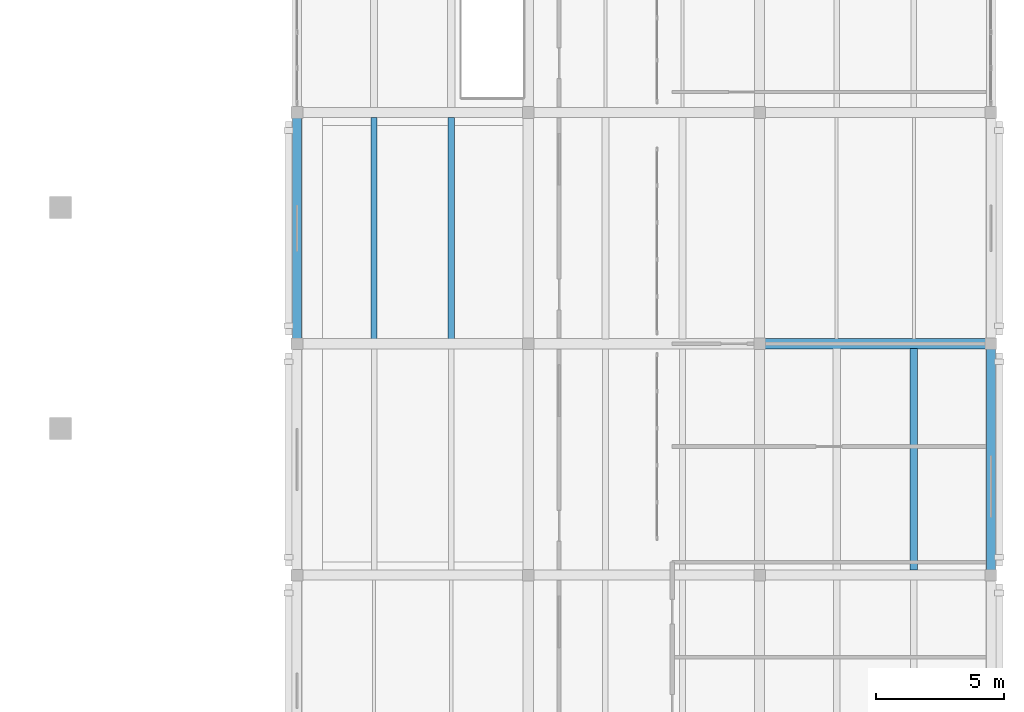
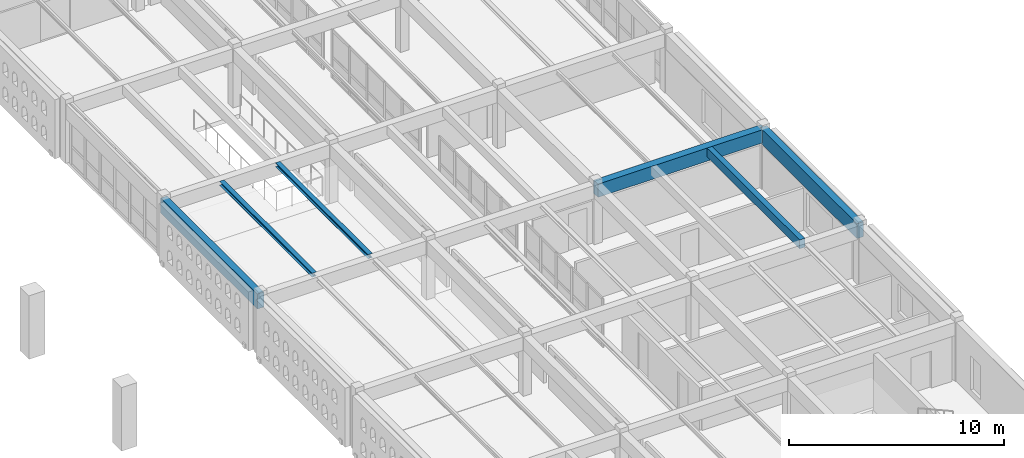
# One storey, part 38 of 80: 6 beams.
"""IFC4 building model written with IfcOpenShell, lengths in metres."""

from ifc_helpers import new_model, si_unit, direction, frame, origin, origin_2d, place, context, subcontext, project, spatial, rectangle, i_section, extrude, material, material_profile, profile_set, type_object, element, save


model = new_model("IFC4")

# Units and contexts
model_context = context("Model", 3, precision=1e-05, world=origin(), true_north=direction((0.0, 1.0)))
body_context = subcontext(model_context, "Body", "Model", "MODEL_VIEW")
ifc_project = project(units=[si_unit("LENGTHUNIT", "METRE"), si_unit("AREAUNIT", "SQUARE_METRE"), si_unit("VOLUMEUNIT", "CUBIC_METRE"), si_unit("PLANEANGLEUNIT", "RADIAN"), si_unit("MASSUNIT", "GRAM", prefix="KILO")], contexts=[model_context])

# Site, building, storey
site_placement = place(None, origin())
site = spatial("IfcSite", under=ifc_project, at=site_placement, CompositionType="ELEMENT")
building_placement = place(site_placement, origin())
building = spatial("IfcBuilding", under=site, at=building_placement, Name="Ornek Quay Market", CompositionType="ELEMENT")
storey_placement = place(building_placement, frame((0.0, 0.0, 8.39990234375)))
storey = spatial("IfcBuildingStorey", under=building, at=storey_placement, Name="L02", CompositionType="ELEMENT", Elevation=8.39990234375)

# Beams
ifc_material_1 = material(Name="Concrete C35/45", Category="concrete")
ifc_material_profile_1 = material_profile(ifc_material_1, rectangle(XDim=0.39990234375, YDim=0.75, at=origin_2d()), Name="RC 400x750", Category="concrete")
ifc_profile_set_1 = profile_set([ifc_material_profile_1], Name="Concrete C35/45")
beam_type_1 = type_object("IfcBeamType", Name="BM-CS-400x750", PredefinedType="BEAM", material=ifc_profile_set_1)
beam_1_placement = place(storey_placement, frame((171.0, 38.0, 2.97509765625), z_axis=(1.0, 0.0, 0.0), x_axis=(0.0, 1.0, 0.0)))
element("IfcBeam", 1, at=beam_1_placement, inside=storey, type_object=beam_type_1, Name="Primary beam B-CS1-062", PredefinedType="BEAM", context=body_context, shape_type="SweptSolid", body=[
    extrude(rectangle(XDim=0.39990234375, YDim=0.75, at=origin_2d()), origin(), (0.0, 0.0, 1.0), 9.0),
])
ifc_material_profile_2 = material_profile(ifc_material_1, rectangle(XDim=0.280029296875, YDim=0.5, at=origin_2d()), Name="RC 280x500", Category="concrete")
ifc_profile_set_2 = profile_set([ifc_material_profile_2], Name="Concrete C35/45")
beam_type_2 = type_object("IfcBeamType", Name="BM-SEC-280x500", PredefinedType="JOIST", material=ifc_profile_set_2)
beam_2_placement = place(storey_placement, frame((177.0, 29.19189453125, 3.10009765625), z_axis=(0.0, 1.0, 0.0), x_axis=(-1.0, 0.0, 0.0)))
element("IfcBeam", 2, at=beam_2_placement, inside=storey, type_object=beam_type_2, Name="Secondary joist B-SC2-098", PredefinedType="JOIST", context=body_context, shape_type="SweptSolid", body=[
    extrude(rectangle(XDim=0.280029296875, YDim=0.5, at=origin_2d()), origin(), (0.0, 0.0, 1.0), 8.6162109375),
])
ifc_material_2 = material(Name="Concrete C40/50", Category="concrete")
ifc_material_profile_3 = material_profile(ifc_material_2, rectangle(XDim=0.35009765625, YDim=0.85009765625, at=origin_2d()), Name="RC 350x850", Category="concrete")
ifc_profile_set_3 = profile_set([ifc_material_profile_3], Name="Concrete C40/50")
beam_type_3 = type_object("IfcBeamType", Name="BM-SPN-350x850", PredefinedType="SPANDREL", material=ifc_profile_set_3)
for number, where, z_axis, x_axis, name in (
    (3, (153.0, 38.0, 2.925048828125), (0.0, 1.0, 0.0), (-1.0, 0.0, 0.0), "Primary beam B-SP1-152"),
    (4, (180.0, 29.0, 2.925048828125), (0.0, 1.0, 0.0), (-1.0, 0.0, 0.0), "Primary beam B-SP1-157"),
):
    element("IfcBeam", number, at=place(storey_placement, frame(where, z_axis=z_axis, x_axis=x_axis)), inside=storey, type_object=beam_type_3, Name=name, PredefinedType="SPANDREL", context=body_context, shape_type="SweptSolid", body=[
        extrude(rectangle(XDim=0.35009765625, YDim=0.85009765625, at=origin_2d()), origin(), (0.0, 0.0, 1.0), 9.0),
    ])
ifc_material_3 = material(Name="Steel S355", Category="steel")
ifc_material_profile_4 = material_profile(ifc_material_3, i_section(OverallWidth=0.239990234375, OverallDepth=0.22998046875, WebThickness=0.007568359375, FlangeThickness=0.011962890625, FilletRadius=0.02099609375, at=origin_2d()), Name="HEA 240", Category="steel")
ifc_profile_set_4 = profile_set([ifc_material_profile_4], Name="Steel S355")
beam_type_4 = type_object("IfcBeamType", Name="BM-STL-HEA240", PredefinedType="BEAM", material=ifc_profile_set_4)
for number, where, z_axis, x_axis, name in (
    (5, (156.0, 38.19189453125, 3.235107421875), (0.0, 1.0, 0.0), (-1.0, 0.0, 0.0), "Secondary joist SB-14-031"),
    (6, (159.0, 38.19189453125, 3.235107421875), (0.0, 1.0, 0.0), (-1.0, 0.0, 0.0), "Secondary joist SB-14-032"),
):
    element("IfcBeam", number, at=place(storey_placement, frame(where, z_axis=z_axis, x_axis=x_axis)), inside=storey, type_object=beam_type_4, Name=name, PredefinedType="BEAM", context=body_context, shape_type="SweptSolid", body=[
        extrude(i_section(OverallWidth=0.239990234375, OverallDepth=0.22998046875, WebThickness=0.007568359375, FlangeThickness=0.011962890625, FilletRadius=0.02099609375, at=origin_2d()), origin(), (0.0, 0.0, 1.0), 8.6162109375),
    ])

save(model, "model.ifc")
